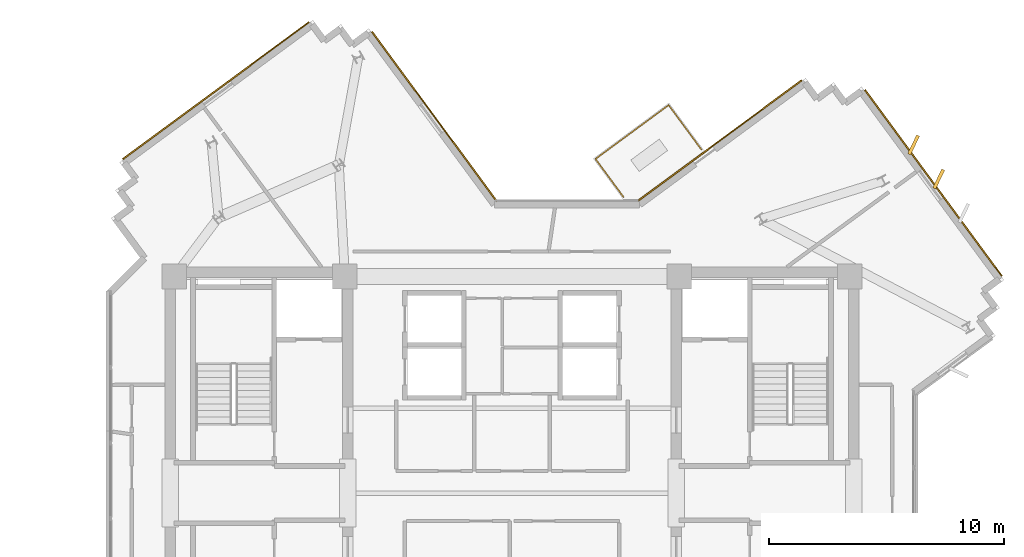
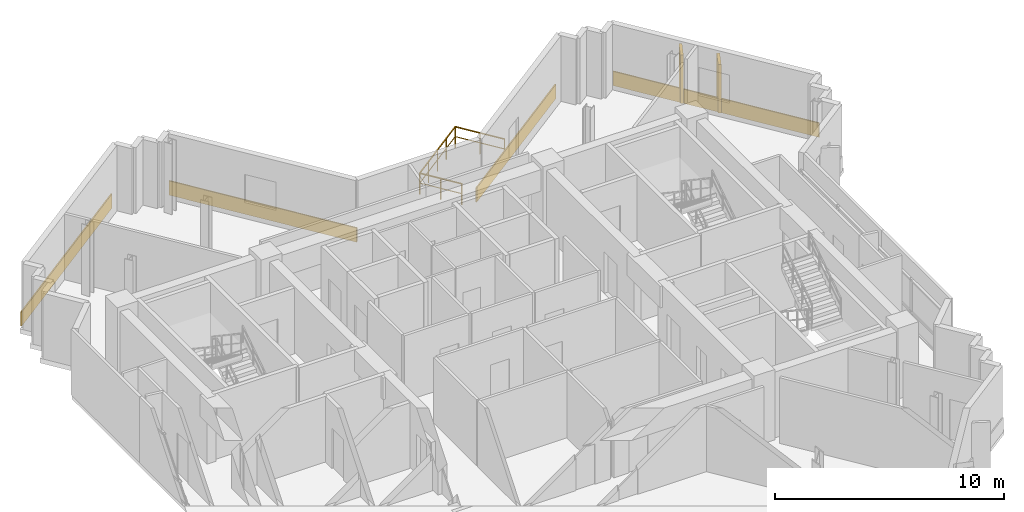
# One storey, part 13 of 13: 6 coverings, 3 railings.
"""IFC4 building model written with IfcOpenShell, lengths in metres."""

import ifcopenshell
import ifcopenshell.guid

model = None  # the IFC model being written
_history = None  # IfcOwnerHistory: only IFC2X3 demands one
_inside = {}  # id of a spatial element -> (the spatial element, [elements in it])
_under = {}  # id of a project, library or spatial element -> (it, [spatial elements below it])
_declared = {}  # id of a project -> (the project, [libraries it declares])
_typed = {}  # id of a type object -> (the type object, [elements of that type])
_made_of = {}  # id of a material, layer set ... -> (it, [elements and type objects made of it])


def new_model(schema):
    """Start an empty IFC model of exactly this schema.

    Asked for "IFC4X3", IfcOpenShell would pick the latest addendum, in which some entities
    have other attributes; the version numbers below select the first issue.
    IFC2X3 requires an IfcOwnerHistory on every rooted entity: one is made here for all.
    """
    global model, _history
    if schema == "IFC4X3":
        model = ifcopenshell.file(schema_version=(4, 3, 0, 0))
    else:
        model = ifcopenshell.file(schema=schema)
    _inside.clear()
    _under.clear()
    _declared.clear()
    _typed.clear()
    _made_of.clear()
    _history = None
    if model.schema == "IFC2X3":
        org = make("IfcOrganization", Name="unknown")
        user = make(
            "IfcPersonAndOrganization",
            ThePerson=make("IfcPerson", FamilyName="unknown"),
            TheOrganization=org,
        )
        app = make(
            "IfcApplication",
            ApplicationDeveloper=org,
            Version="unknown",
            ApplicationFullName="unknown",
            ApplicationIdentifier="unknown",
        )
        _history = make(
            "IfcOwnerHistory",
            OwningUser=user,
            OwningApplication=app,
            ChangeAction="ADDED",
            CreationDate=0,
        )
    return model


def make(cls, **values):
    """One entity of the class cls with the attributes given. An attribute that is None is left unset."""
    return model.create_entity(
        cls, **{name: value for name, value in values.items() if value is not None}
    )


def rooted(cls, **values):
    """An entity with a GlobalId (a new one), such as an element, a storey or a relation."""
    return make(cls, GlobalId=ifcopenshell.guid.new(), OwnerHistory=_history, **values)


def si_unit(unit_type, name, prefix=None):
    """IfcSIUnit, for example si_unit("LENGTHUNIT", "METRE", prefix="MILLI")."""
    return make("IfcSIUnit", UnitType=unit_type, Prefix=prefix, Name=name)


def assignment(units):
    """IfcUnitAssignment: the units of a project."""
    return None if units is None else make("IfcUnitAssignment", Units=units)


def point(xyz):
    """IfcCartesianPoint."""
    return None if xyz is None else make("IfcCartesianPoint", Coordinates=xyz)


def direction(xyz):
    """IfcDirection."""
    return None if xyz is None else make("IfcDirection", DirectionRatios=xyz)


def frame(location, z_axis=None, x_axis=None):
    """IfcAxis2Placement3D, a coordinate frame: its origin and axes. An axis left out is left unset."""
    return make(
        "IfcAxis2Placement3D",
        Location=point(location),
        Axis=direction(z_axis),
        RefDirection=direction(x_axis),
    )


def frame_2d(location, x_axis=None):
    """IfcAxis2Placement2D, a coordinate frame in the plane: its origin and x axis."""
    return make(
        "IfcAxis2Placement2D", Location=point(location), RefDirection=direction(x_axis)
    )


def origin():
    """The frame at (0, 0, 0) with its axes left unset."""
    return frame((0.0, 0.0, 0.0))


def origin_2d():
    """The frame at (0, 0) in the plane with its x axis left unset."""
    return frame_2d((0.0, 0.0))


def place(relative_to, where):
    """IfcLocalPlacement: puts the frame where relative to a parent placement (None: the world)."""
    return make(
        "IfcLocalPlacement", PlacementRelTo=relative_to, RelativePlacement=where
    )


def context(
    kind, dimensions, precision=None, world=None, true_north=None, identifier=None
):
    """IfcGeometricRepresentationContext, for example the 3D "Model" context."""
    return make(
        "IfcGeometricRepresentationContext",
        ContextIdentifier=identifier,
        ContextType=kind,
        CoordinateSpaceDimension=dimensions,
        Precision=precision,
        WorldCoordinateSystem=world,
        TrueNorth=true_north,
    )


def subcontext(parent, identifier, kind, view, scale=None):
    """IfcGeometricRepresentationSubContext, for example "Body" below "Model"."""
    return make(
        "IfcGeometricRepresentationSubContext",
        ContextIdentifier=identifier,
        ContextType=kind,
        ParentContext=parent,
        TargetScale=scale,
        TargetView=view,
    )


def project(units=None, contexts=None):
    """IfcProject with its units and contexts."""
    return rooted(
        "IfcProject",
        Name="project",
        RepresentationContexts=contexts,
        UnitsInContext=assignment(units),
    )


def spatial(cls, under=None, at=None, **own):
    """A site, building, storey or space (cls), placed at a placement, below another one or the project."""
    s = rooted(cls, ObjectPlacement=at, **own)
    if under is not None:
        _under.setdefault(under.id(), (under, []))[1].append(s)
    return s


def profile(cls, at=None, kind="AREA", **sizes):
    """A parametric profile (cls). Its sizes go by their IFC names, for example OverallWidth=200.0."""
    return make(cls, ProfileType=kind, Position=at, **sizes)


def rectangle(**sizes):
    """IfcRectangleProfileDef."""
    return profile("IfcRectangleProfileDef", **sizes)


def extrude(swept, where, along, depth):
    """IfcExtrudedAreaSolid: the profile swept, set in the frame where, extruded along a direction by depth."""
    return make(
        "IfcExtrudedAreaSolid",
        SweptArea=swept,
        Position=where,
        ExtrudedDirection=direction(along),
        Depth=depth,
    )


def shape(context_of_items, identifier, shape_type, items):
    """IfcShapeRepresentation: the items that make up one representation, for example the "Body"."""
    return make(
        "IfcShapeRepresentation",
        ContextOfItems=context_of_items,
        RepresentationIdentifier=identifier,
        RepresentationType=shape_type,
        Items=items,
    )


def source(mapping_origin, context_of_items, identifier, shape_type, items):
    """IfcRepresentationMap: a shape defined once, which mapped items show again and again."""
    return make(
        "IfcRepresentationMap",
        MappingOrigin=mapping_origin,
        MappedRepresentation=shape(context_of_items, identifier, shape_type, items),
    )


def transform(
    local_origin,
    x_axis=None,
    y_axis=None,
    z_axis=None,
    scale=None,
    scale2=None,
    scale3=None,
    uniform=True,
):
    """IfcCartesianTransformationOperator3D, or its non-uniform kind. x_axis, y_axis, z_axis: its Axis1, 2, 3."""
    if uniform:
        return make(
            "IfcCartesianTransformationOperator3D",
            Axis1=direction(x_axis),
            Axis2=direction(y_axis),
            LocalOrigin=point(local_origin),
            Scale=scale,
            Axis3=direction(z_axis),
        )
    return make(
        "IfcCartesianTransformationOperator3DnonUniform",
        Axis1=direction(x_axis),
        Axis2=direction(y_axis),
        LocalOrigin=point(local_origin),
        Scale=scale,
        Axis3=direction(z_axis),
        Scale2=scale2,
        Scale3=scale3,
    )


def mapped(mapping_source, mapping_target):
    """IfcMappedItem: shows the shape of a source again, moved by a transform."""
    return make(
        "IfcMappedItem", MappingSource=mapping_source, MappingTarget=mapping_target
    )


def material(Name=None, Category=None):
    """IfcMaterial."""
    return make("IfcMaterial", Name=Name, Category=Category)


def layer(
    of_material, thickness, ventilated=None, Name=None, Category=None, Priority=None
):
    """IfcMaterialLayer: one layer of a wall or slab, of a material (None: an air gap)."""
    return make(
        "IfcMaterialLayer",
        Material=of_material,
        LayerThickness=thickness,
        IsVentilated=ventilated,
        Name=Name,
        Category=Category,
        Priority=Priority,
    )


def layer_set(layers, Name=None):
    """IfcMaterialLayerSet."""
    return make("IfcMaterialLayerSet", MaterialLayers=layers, LayerSetName=Name)


def made_of(thing, what):
    """Note that an element or type object is made of a material, layer set ...; save() writes the relation."""
    if what is not None:
        _made_of.setdefault(what.id(), (what, []))[1].append(thing)
    return thing


def type_object(cls, material=None, **own):
    """A type object (cls), such as IfcWallType, which elements share."""
    return made_of(rooted(cls, **own), material)


def element(
    cls,
    number,
    at=None,
    inside=None,
    cuts=None,
    type_object=None,
    material=None,
    context=None,
    identifier="Body",
    shape_type=None,
    held_by="IfcProductDefinitionShape",
    body=None,
    shapes=None,
    **own,
):
    """One element of the class cls, such as IfcWall. Its Tag is "e" and its number.

    at: its placement. inside: the storey or other place that contains it. cuts: it is an
    opening in that element (IfcRelVoidsElement). A single representation is given by context,
    identifier, shape_type and body (its items); several are given by shapes. held_by: the class
    of the entity that holds the representations. save() writes the other relations.
    """
    e = rooted(cls, Tag="e%d" % number, ObjectPlacement=at, **own)
    if body is not None:
        shapes = [shape(context, identifier, shape_type, body)]
    if shapes is not None:
        e.Representation = make(held_by, Representations=shapes)
    if inside is not None:
        _inside.setdefault(inside.id(), (inside, []))[1].append(e)
    if cuts is not None:
        rooted(
            "IfcRelVoidsElement", RelatingBuildingElement=cuts, RelatedOpeningElement=e
        )
    if type_object is not None:
        _typed.setdefault(type_object.id(), (type_object, []))[1].append(e)
    return made_of(e, material)


def aggregate(whole, parts):
    """IfcRelAggregates: a whole, such as a stair, and the parts it consists of."""
    return rooted("IfcRelAggregates", RelatingObject=whole, RelatedObjects=parts)


def save(model, path):
    """Write the relations noted so far, then the file.

    IfcRelAggregates (storeys below a building ...), IfcRelContainedInSpatialStructure (elements
    in a storey), IfcRelDefinesByType, IfcRelAssociatesMaterial and IfcRelDeclares: one each for
    every whole, place, type object, material and project.
    """
    for whole, parts in _under.values():
        aggregate(whole, parts)
    for where, things in _inside.values():
        rooted(
            "IfcRelContainedInSpatialStructure",
            RelatedElements=things,
            RelatingStructure=where,
        )
    for kind, things in _typed.values():
        rooted("IfcRelDefinesByType", RelatedObjects=things, RelatingType=kind)
    for what, things in _made_of.values():
        rooted("IfcRelAssociatesMaterial", RelatedObjects=things, RelatingMaterial=what)
    for by, libraries in _declared.values():
        rooted("IfcRelDeclares", RelatingContext=by, RelatedDefinitions=libraries)
    model.write(path)


model = new_model("IFC4")

# Units and contexts
model_context = context("Model", 3, precision=1e-05, world=origin(), true_north=direction((0.0, 1.0)))
body_context = subcontext(model_context, "Body", "Model", "MODEL_VIEW")
ifc_project = project(units=[si_unit("LENGTHUNIT", "METRE"), si_unit("AREAUNIT", "SQUARE_METRE"), si_unit("VOLUMEUNIT", "CUBIC_METRE"), si_unit("PLANEANGLEUNIT", "RADIAN"), si_unit("MASSUNIT", "GRAM", prefix="KILO")], contexts=[model_context])

# Site, building, storey
site_placement = place(None, origin())
site = spatial("IfcSite", under=ifc_project, at=site_placement, CompositionType="ELEMENT")
building_placement = place(site_placement, origin())
building = spatial("IfcBuilding", under=site, at=building_placement, Name="Zahravan Cultural Tower", CompositionType="ELEMENT")
storey_placement = place(building_placement, frame((0.0, 0.0, 276.60009765625)))
storey = spatial("IfcBuildingStorey", under=building, at=storey_placement, Name="L66", CompositionType="ELEMENT", Elevation=276.60009765625)

# Railings
ifc_material_1 = material(Name="Steel ASTM A572 Grade 50", Category="steel")
railing_type = type_object("IfcRailingType", Name="RL-BAL-1150", PredefinedType="BALUSTRADE", material=ifc_material_1)
railing_1_placement = place(storey_placement, frame((39.547119140625, 41.1943359375, 0.0)))
element("IfcRailing", 1, at=railing_1_placement, inside=storey, type_object=railing_type, Name="L66 Edge Balustrade GRD-TR-L66-NE-01", PredefinedType="BALUSTRADE", context=body_context, shape_type="SweptSolid", body=[
    extrude(rectangle(XDim=0.05, YDim=0.05, at=origin_2d()), frame((0.0, 0.0, 1.125), z_axis=(0.805364143991, 0.592780394053, 0.0), x_axis=(-0.592780394053, 0.805364143991, 0.0)), (0.0, 0.0, 1.0), 3.85986328125),
    extrude(rectangle(XDim=0.032, YDim=0.032, at=origin_2d()), frame((0.0, 0.0, 0.597900390625), z_axis=(0.805364143991, 0.592780394053, 0.0), x_axis=(-0.592780394053, 0.805364143991, 0.0)), (0.0, 0.0, 1.0), 3.85986328125),
    extrude(rectangle(XDim=0.04, YDim=0.04, at=origin_2d()), origin(), (0.0, 0.0, 1.0), 1.14990234375),
    extrude(rectangle(XDim=0.04, YDim=0.04, at=origin_2d()), frame((0.777099609375, 0.572021484375, 0.0)), (0.0, 0.0, 1.0), 1.14990234375),
    extrude(rectangle(XDim=0.04, YDim=0.04, at=origin_2d()), frame((1.55419921875, 1.14404296875, 0.0)), (0.0, 0.0, 1.0), 1.14990234375),
    extrude(rectangle(XDim=0.04, YDim=0.04, at=origin_2d()), frame((2.33154296875, 1.716064453125, 0.0)), (0.0, 0.0, 1.0), 1.14990234375),
    extrude(rectangle(XDim=0.04, YDim=0.04, at=origin_2d()), frame((3.108642578125, 2.2880859375, 0.0)), (0.0, 0.0, 1.0), 1.14990234375),
])
railing_2_placement = place(storey_placement, frame((42.65576171875, 43.482421875, 0.0)))
element("IfcRailing", 2, at=railing_2_placement, inside=storey, type_object=railing_type, Name="L66 Edge Balustrade GRD-TR-L66-NE-02", PredefinedType="BALUSTRADE", context=body_context, shape_type="SweptSolid", body=[
    extrude(rectangle(XDim=0.05, YDim=0.05, at=origin_2d()), frame((0.0, 0.0, 1.125), z_axis=(0.592677984441, -0.805439511546, 0.0), x_axis=(0.805439511546, 0.592677984441, 0.0)), (0.0, 0.0, 1.0), 2.35009765625),
    extrude(rectangle(XDim=0.032, YDim=0.032, at=origin_2d()), frame((0.0, 0.0, 0.597900390625), z_axis=(0.592677984441, -0.805439511546, 0.0), x_axis=(0.805439511546, 0.592677984441, 0.0)), (0.0, 0.0, 1.0), 2.35009765625),
    extrude(rectangle(XDim=0.04, YDim=0.04, at=origin_2d()), origin(), (0.0, 0.0, 1.0), 1.14990234375),
    extrude(rectangle(XDim=0.04, YDim=0.04, at=origin_2d()), frame((0.6962890625, -0.9462890625, 0.0)), (0.0, 0.0, 1.0), 1.14990234375),
    extrude(rectangle(XDim=0.04, YDim=0.04, at=origin_2d()), frame((1.392822265625, -1.892822265625, 0.0)), (0.0, 0.0, 1.0), 1.14990234375),
])
railing_3_placement = place(storey_placement, frame((40.735107421875, 39.580078125, 0.0)))
element("IfcRailing", 3, at=railing_3_placement, inside=storey, type_object=railing_type, Name="L66 Edge Balustrade GRD-TR-L66-NE-03", PredefinedType="BALUSTRADE", context=body_context, shape_type="SweptSolid", body=[
    extrude(rectangle(XDim=0.05, YDim=0.05, at=origin_2d()), frame((0.0, 0.0, 1.125), z_axis=(-0.592725255874, 0.805404724998, 0.0), x_axis=(-0.805404724998, -0.592725255874, 0.0)), (0.0, 0.0, 1.0), 2.00439453125),
    extrude(rectangle(XDim=0.032, YDim=0.032, at=origin_2d()), frame((0.0, 0.0, 0.597900390625), z_axis=(-0.592725255874, 0.805404724998, 0.0), x_axis=(-0.805404724998, -0.592725255874, 0.0)), (0.0, 0.0, 1.0), 2.00439453125),
    extrude(rectangle(XDim=0.04, YDim=0.04, at=origin_2d()), origin(), (0.0, 0.0, 1.0), 1.14990234375),
    extrude(rectangle(XDim=0.04, YDim=0.04, at=origin_2d()), frame((-0.593994140625, 0.80712890625, 0.0)), (0.0, 0.0, 1.0), 1.14990234375),
    extrude(rectangle(XDim=0.04, YDim=0.04, at=origin_2d()), frame((-1.18798828125, 1.6142578125, 0.0)), (0.0, 0.0, 1.0), 1.14990234375),
])

# Coverings
ifc_material_2 = material(Name="Terracotta ceramic cladding", Category="masonry")
ifc_layer = layer(ifc_material_2, 0.06005859375)
ifc_layer_set = layer_set([ifc_layer], Name="Terracotta ceramic cladding")
covering_type = type_object("IfcCoveringType", Name="COV-CLAD-TC60", PredefinedType="CLADDING", material=ifc_layer_set)
shared_shape_1 = source(origin(), body_context, "Body", "SweptSolid", [
    extrude(rectangle(XDim=9.820068359375, YDim=0.06005859375, at=origin_2d()), origin(), (0.0, 0.0, 1.0), 0.760009765625),
])
for number, where, z_axis, x_axis, name in (
    (4, (53.900390625, 40.173095703125, 0.02001953125), (0.0, 0.0, 1.0), (0.592716258391, -0.80541134648, 0.0), "L66 Terracotta Spandrel Cladding 06"),
    (5, (23.419677734375, 44.094970703125, 0.02001953125), (0.0, 0.0, 1.0), (0.80541134648, 0.592716258391, 0.0), "L66 Terracotta Spandrel Cladding 42"),
):
    element("IfcCovering", number, at=place(storey_placement, frame(where, z_axis=z_axis, x_axis=x_axis)), inside=storey, type_object=covering_type, Name=name, PredefinedType="CLADDING", context=body_context, shape_type="MappedRepresentation", body=[
        mapped(shared_shape_1, transform((0.0, 0.0, 0.0), x_axis=(1.0, 0.0, 0.0), y_axis=(0.0, 1.0, 0.0), z_axis=(0.0, 0.0, 1.0), scale=1.0)),
    ])
shared_shape_2 = source(origin(), body_context, "Body", "SweptSolid", [
    extrude(rectangle(XDim=0.8798828125, YDim=0.139892578125, at=origin_2d()), origin(), (0.0, 0.0, 1.0), 2.580078125),
])
for number, where, z_axis, x_axis, name in (
    (6, (53.06298828125, 41.791748046875, 0.0498046875), (0.0, 0.0, 1.0), (0.43287258152, 0.901455117112, 0.0), "L66 Herringbone Terracotta Fin 01"),
    (7, (54.1298828125, 40.342041015625, 0.0498046875), (0.0, 0.0, 1.0), (0.43287258152, 0.901455117112, 0.0), "L66 Herringbone Terracotta Fin 02"),
):
    element("IfcCovering", number, at=place(storey_placement, frame(where, z_axis=z_axis, x_axis=x_axis)), inside=storey, type_object=covering_type, Name=name, PredefinedType="CLADDING", context=body_context, shape_type="MappedRepresentation", body=[
        mapped(shared_shape_2, transform((0.0, 0.0, 0.0), x_axis=(1.0, 0.0, 0.0), y_axis=(0.0, 1.0, 0.0), z_axis=(0.0, 0.0, 1.0), scale=1.0)),
    ])
shared_shape_3 = source(origin(), body_context, "Body", "SweptSolid", [
    extrude(rectangle(XDim=8.62548828125, YDim=0.06005859375, at=origin_2d()), origin(), (0.0, 0.0, 1.0), 0.760009765625),
])
covering_1_placement = place(storey_placement, frame((44.839111328125, 41.978759765625, 0.02001953125), z_axis=(0.0, 0.0, 1.0), x_axis=(0.80541134648, 0.592716258391, 0.0)))
element("IfcCovering", 8, at=covering_1_placement, inside=storey, type_object=covering_type, Name="L66 Terracotta Spandrel Cladding 01", PredefinedType="CLADDING", context=body_context, shape_type="MappedRepresentation", body=[
    mapped(shared_shape_3, transform((0.0, 0.0, 0.0), x_axis=(1.0, 0.0, 0.0), y_axis=(0.0, 1.0, 0.0), z_axis=(0.0, 0.0, 1.0), scale=1.0)),
])
shared_shape_4 = source(origin(), body_context, "Body", "SweptSolid", [
    extrude(rectangle(XDim=8.939208984375, YDim=0.06005859375, at=origin_2d()), origin(), (0.0, 0.0, 1.0), 0.760009765625),
])
covering_2_placement = place(storey_placement, frame((32.70068359375, 42.997802734375, 0.02001953125), z_axis=(0.0, 0.0, 1.0), x_axis=(0.592716258391, -0.80541134648, 0.0)))
element("IfcCovering", 9, at=covering_2_placement, inside=storey, type_object=covering_type, Name="L66 Terracotta Spandrel Cladding 47", PredefinedType="CLADDING", context=body_context, shape_type="MappedRepresentation", body=[
    mapped(shared_shape_4, transform((0.0, 0.0, 0.0), x_axis=(1.0, 0.0, 0.0), y_axis=(0.0, 1.0, 0.0), z_axis=(0.0, 0.0, 1.0), scale=1.0)),
])

save(model, "model.ifc")
